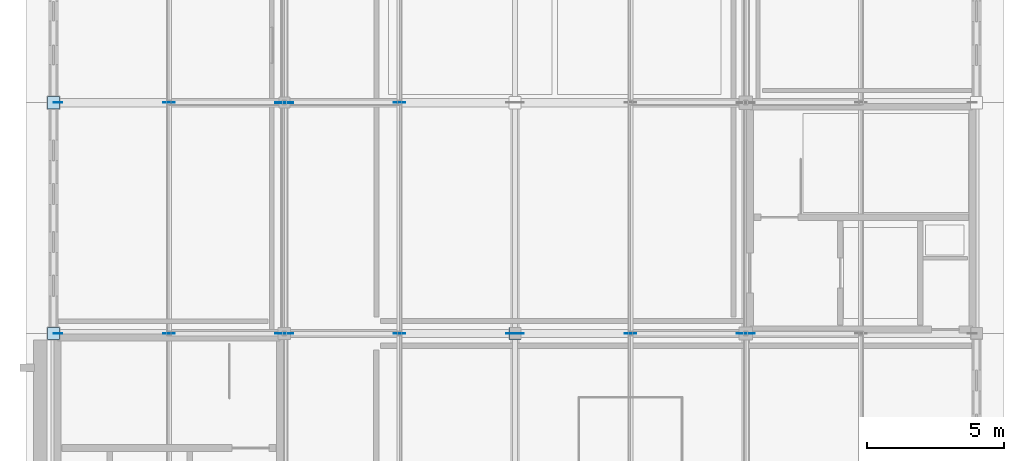
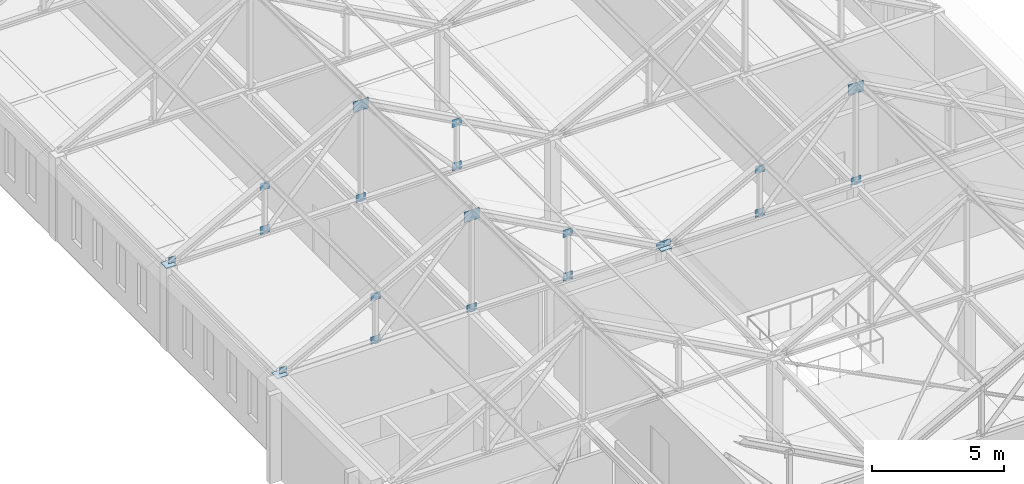
# One storey, part 20 of 36: 23 plates.
"""IFC4 building model written with IfcOpenShell, lengths in metres."""

from ifc_helpers import new_model, si_unit, direction, frame, origin, origin_2d, place, context, subcontext, project, spatial, rectangle, extrude, material, layer, layer_set, type_object, element, save


model = new_model("IFC4")

# Units and contexts
model_context = context("Model", 3, precision=1e-05, world=origin(), true_north=direction((0.0, 1.0)))
body_context = subcontext(model_context, "Body", "Model", "MODEL_VIEW")
ifc_project = project(units=[si_unit("LENGTHUNIT", "METRE"), si_unit("AREAUNIT", "SQUARE_METRE"), si_unit("VOLUMEUNIT", "CUBIC_METRE"), si_unit("PLANEANGLEUNIT", "RADIAN"), si_unit("MASSUNIT", "GRAM", prefix="KILO")], contexts=[model_context])

# Site, building, storey
site_placement = place(None, origin())
site = spatial("IfcSite", under=ifc_project, at=site_placement, CompositionType="ELEMENT")
building_placement = place(site_placement, origin())
building = spatial("IfcBuilding", under=site, at=building_placement, Name="Kveldsbrygga Polytechnic", CompositionType="ELEMENT")
storey_placement = place(building_placement, frame((0.0, 0.0, 26.179931640625)))
storey = spatial("IfcBuildingStorey", under=building, at=storey_placement, Name="L06", CompositionType="ELEMENT", Elevation=26.179931640625)

# Plates
ifc_material = material(Name="Steel S355", Category="steel")
ifc_layer_1 = layer(ifc_material, 0.030029296875)
ifc_layer_set_1 = layer_set([ifc_layer_1], Name="Steel S355")
plate_type_1 = type_object("IfcPlateType", Name="CAP-BEAR-450", PredefinedType="SHEET", material=ifc_layer_set_1)
for number, where, z_axis, x_axis, name in (
    (1, (126.0, 33.60009765625, 3.81005859375), (0.0, 0.0, 1.0), (1.0, 0.0, 0.0), "Truss Bearing Plate V4M1-T03-A"),
    (2, (142.800048828125, 33.60009765625, 3.81005859375), (0.0, 0.0, 1.0), (1.0, 0.0, 0.0), "Truss Bearing Plate V4M1-T03-B"),
    (3, (126.0, 42.0, 3.81005859375), (0.0, 0.0, 1.0), (1.0, 0.0, 0.0), "Truss Bearing Plate V4M1-T04-A"),
):
    element("IfcPlate", number, at=place(storey_placement, frame(where, z_axis=z_axis, x_axis=x_axis)), inside=storey, type_object=plate_type_1, Name=name, PredefinedType="SHEET", context=body_context, shape_type="SweptSolid", body=[
        extrude(rectangle(XDim=0.449951171875, YDim=0.449951171875, at=origin_2d()), origin(), (0.0, 0.0, 1.0), 0.030029296875),
    ])
ifc_layer_2 = layer(ifc_material, 0.02490234375)
ifc_layer_set_2 = layer_set([ifc_layer_2], Name="Steel S355")
plate_type_2 = type_object("IfcPlateType", Name="GUS-APEX-650", PredefinedType="SHEET", material=ifc_layer_set_2)
for number, where, z_axis, x_axis, name in (
    (4, (134.39990234375, 33.60009765625, 7.989990234375), (0.0, 0.0, 1.0), (1.0, 0.0, 0.0), "Truss Gusset Plate V4M1-T03-GP-2"),
    (5, (134.39990234375, 42.0, 7.989990234375), (0.0, 0.0, 1.0), (1.0, 0.0, 0.0), "Truss Gusset Plate V4M1-T04-GP-2"),
    (6, (151.199951171875, 33.60009765625, 7.989990234375), (0.0, 0.0, 1.0), (1.0, 0.0, 0.0), "Truss Gusset Plate V4M2-T03-GP-2"),
):
    element("IfcPlate", number, at=place(storey_placement, frame(where, z_axis=z_axis, x_axis=x_axis)), inside=storey, type_object=plate_type_2, Name=name, PredefinedType="SHEET", context=body_context, shape_type="SweptSolid", body=[
        extrude(rectangle(XDim=0.64990234375, YDim=0.02490234375, at=origin_2d()), origin(), (0.0, 0.0, 1.0), 0.5),
    ])
ifc_layer_3 = layer(ifc_material, 0.01806640625)
ifc_layer_set_3 = layer_set([ifc_layer_3], Name="Steel S355")
plate_type_3 = type_object("IfcPlateType", Name="GUS-BRACE-320", PredefinedType="SHEET", material=ifc_layer_set_3)
for number, where, z_axis, x_axis, name in (
    (7, (126.159912109375, 33.60009765625, 3.7998046875), (0.0, 0.0, 1.0), (1.0, 0.0, 0.0), "Truss Eaves Node Gusset V4M1-T03-EGP-A"),
    (8, (142.639892578125, 33.60009765625, 3.7998046875), (0.0, 0.0, 1.0), (1.0, 0.0, 0.0), "Truss Eaves Node Gusset V4M1-T03-EGP-B"),
    (9, (126.159912109375, 42.0, 3.7998046875), (0.0, 0.0, 1.0), (1.0, 0.0, 0.0), "Truss Eaves Node Gusset V4M1-T04-EGP-A"),
    (10, (142.9599609375, 33.60009765625, 3.7998046875), (0.0, 0.0, 1.0), (1.0, 0.0, 0.0), "Truss Eaves Node Gusset V4M2-T03-EGP-A"),
):
    element("IfcPlate", number, at=place(storey_placement, frame(where, z_axis=z_axis, x_axis=x_axis)), inside=storey, type_object=plate_type_3, Name=name, PredefinedType="SHEET", context=body_context, shape_type="SweptSolid", body=[
        extrude(rectangle(XDim=0.320068359375, YDim=0.01806640625, at=origin_2d()), origin(), (0.0, 0.0, 1.0), 0.320068359375),
    ])
ifc_layer_4 = layer(ifc_material, 0.02001953125)
ifc_layer_set_4 = layer_set([ifc_layer_4], Name="Steel S355")
plate_type_4 = type_object("IfcPlateType", Name="GUS-LECT-420", PredefinedType="SHEET", material=ifc_layer_set_4)
for number, where, z_axis, x_axis, name in (
    (11, (130.199951171875, 33.60009765625, 5.7900390625), (0.0, 0.0, 1.0), (1.0, 0.0, 0.0), "Truss Gusset Plate V4M1-T03-GP-1"),
    (12, (130.199951171875, 33.60009765625, 3.784912109375), (0.0, 0.0, 1.0), (1.0, 0.0, 0.0), "Truss Bottom-Chord Node Gusset V4M1-T03-BGP-1"),
    (13, (134.39990234375, 33.60009765625, 3.784912109375), (0.0, 0.0, 1.0), (1.0, 0.0, 0.0), "Truss Bottom-Chord Node Gusset V4M1-T03-BGP-2"),
    (14, (138.60009765625, 33.60009765625, 5.7900390625), (0.0, 0.0, 1.0), (1.0, 0.0, 0.0), "Truss Gusset Plate V4M1-T03-GP-3"),
    (15, (138.60009765625, 33.60009765625, 3.784912109375), (0.0, 0.0, 1.0), (1.0, 0.0, 0.0), "Truss Bottom-Chord Node Gusset V4M1-T03-BGP-3"),
    (16, (130.199951171875, 42.0, 5.7900390625), (0.0, 0.0, 1.0), (1.0, 0.0, 0.0), "Truss Gusset Plate V4M1-T04-GP-1"),
    (17, (130.199951171875, 42.0, 3.784912109375), (0.0, 0.0, 1.0), (1.0, 0.0, 0.0), "Truss Bottom-Chord Node Gusset V4M1-T04-BGP-1"),
    (18, (134.39990234375, 42.0, 3.784912109375), (0.0, 0.0, 1.0), (1.0, 0.0, 0.0), "Truss Bottom-Chord Node Gusset V4M1-T04-BGP-2"),
    (19, (138.60009765625, 42.0, 5.7900390625), (0.0, 0.0, 1.0), (1.0, 0.0, 0.0), "Truss Gusset Plate V4M1-T04-GP-3"),
    (20, (138.60009765625, 42.0, 3.784912109375), (0.0, 0.0, 1.0), (1.0, 0.0, 0.0), "Truss Bottom-Chord Node Gusset V4M1-T04-BGP-3"),
    (21, (147.0, 33.60009765625, 5.7900390625), (0.0, 0.0, 1.0), (1.0, 0.0, 0.0), "Truss Gusset Plate V4M2-T03-GP-1"),
    (22, (147.0, 33.60009765625, 3.784912109375), (0.0, 0.0, 1.0), (1.0, 0.0, 0.0), "Truss Bottom-Chord Node Gusset V4M2-T03-BGP-1"),
    (23, (151.199951171875, 33.60009765625, 3.784912109375), (0.0, 0.0, 1.0), (1.0, 0.0, 0.0), "Truss Bottom-Chord Node Gusset V4M2-T03-BGP-2"),
):
    element("IfcPlate", number, at=place(storey_placement, frame(where, z_axis=z_axis, x_axis=x_axis)), inside=storey, type_object=plate_type_4, Name=name, PredefinedType="SHEET", context=body_context, shape_type="SweptSolid", body=[
        extrude(rectangle(XDim=0.419921875, YDim=0.02001953125, at=origin_2d()), origin(), (0.0, 0.0, 1.0), 0.35009765625),
    ])

save(model, "model.ifc")
